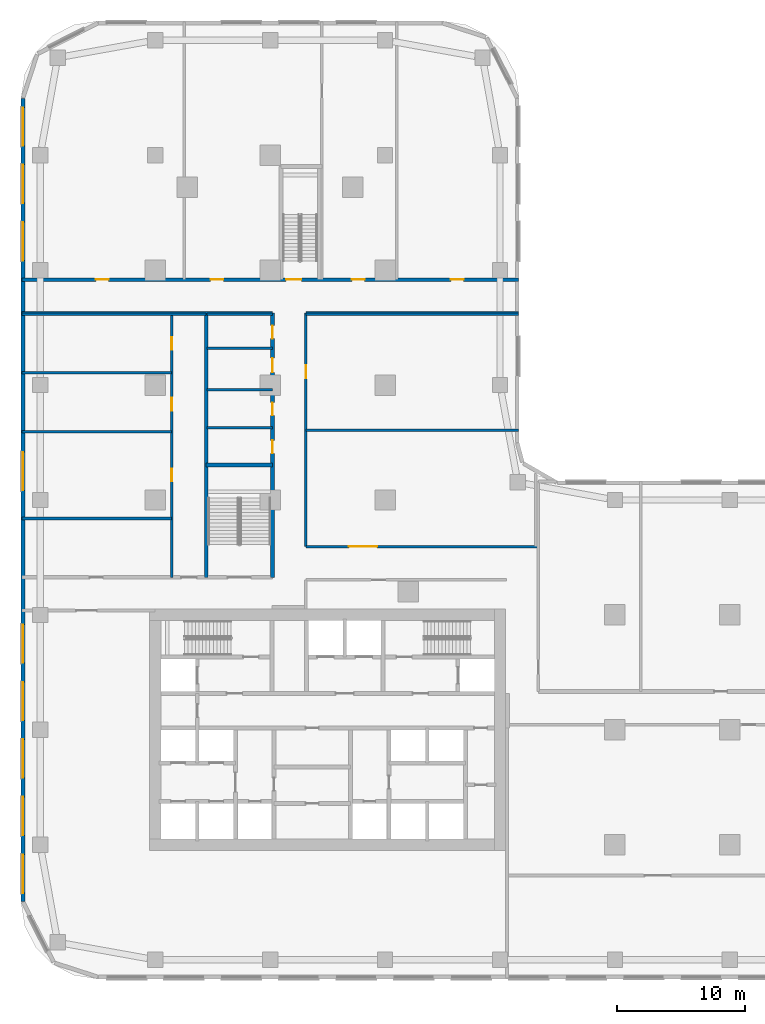
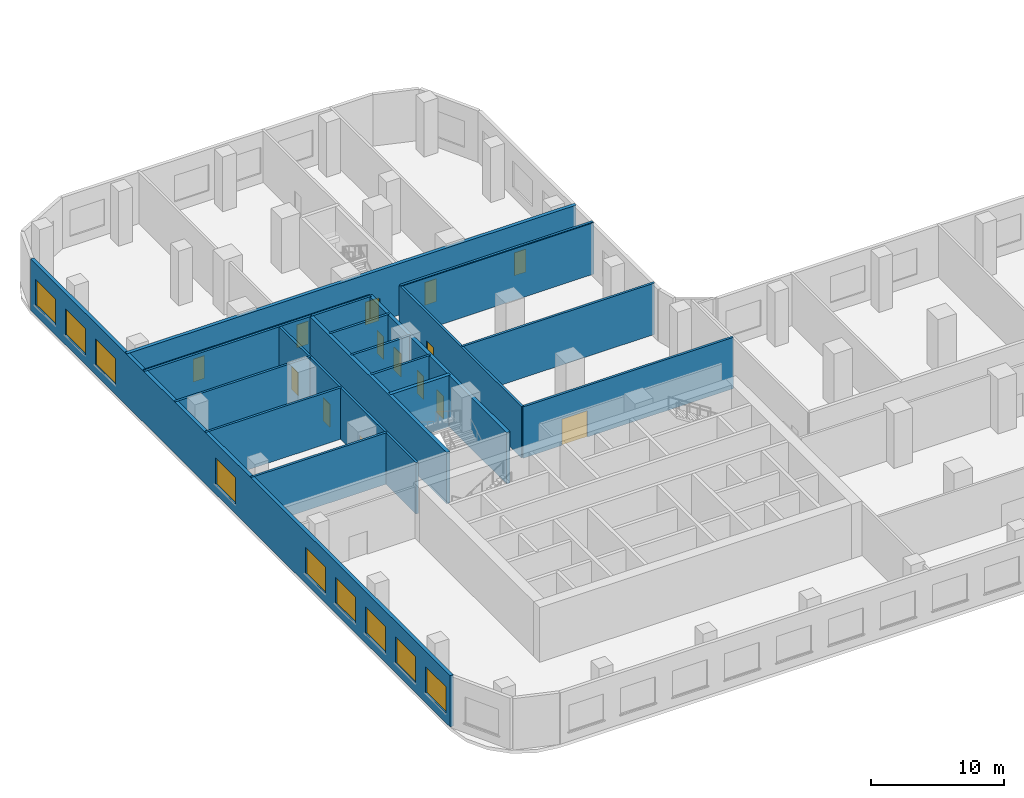
# One storey, part 9 of 35: 20 walls, 14 doors, 9 windows, 23 openings.
"""IFC4 building model written with IfcOpenShell, lengths in metres."""

from ifc_helpers import new_model, si_unit, direction, frame, frame_2d, origin, place, context, subcontext, project, spatial, rectangle, extrude, material, layer, layer_set, type_object, element, fill, save


model = new_model("IFC4")

# Units and contexts
model_context = context("Model", 3, precision=1e-05, world=origin(), true_north=direction((0.0, 1.0)))
body_context = subcontext(model_context, "Body", "Model", "MODEL_VIEW")
ifc_project = project(units=[si_unit("LENGTHUNIT", "METRE"), si_unit("AREAUNIT", "SQUARE_METRE"), si_unit("VOLUMEUNIT", "CUBIC_METRE"), si_unit("PLANEANGLEUNIT", "RADIAN"), si_unit("MASSUNIT", "GRAM", prefix="KILO")], contexts=[model_context])

# Site, building, storey
site_placement = place(None, origin())
site = spatial("IfcSite", under=ifc_project, at=site_placement, CompositionType="ELEMENT")
building_placement = place(site_placement, origin())
building = spatial("IfcBuilding", under=site, at=building_placement, Name="Ogive Portal Towers", CompositionType="ELEMENT")
storey_placement = place(building_placement, frame((0.0, 0.0, 23.5)))
storey = spatial("IfcBuildingStorey", under=building, at=storey_placement, Name="L04", CompositionType="ELEMENT", Elevation=23.5)

# Wall, openings, windows
ifc_material_1 = material(Name="Limestone cladding on lightweight block wall", Category="masonry")
ifc_layer_1 = layer(ifc_material_1, 0.300048828125)
ifc_layer_set_1 = layer_set([ifc_layer_1], Name="EXTERNAL WALL 300 STONE")
wall_type_1 = type_object("IfcWallType", Name="EXTERNAL WALL 300 STONE", PredefinedType="SOLIDWALL", material=ifc_layer_set_1)
wall_1_placement = place(storey_placement, frame((21.14990234375, 79.952392578125, 0.0), z_axis=(0.0, 0.0, 1.0), x_axis=(0.0, -1.0, 0.0)))
wall_1 = element("IfcWall", 1, at=wall_1_placement, inside=storey, type_object=wall_type_1, Name="A:L04:f17:w0", PredefinedType="SOLIDWALL", context=body_context, shape_type="SweptSolid", body=[
    extrude(rectangle(XDim=62.88037109375, YDim=0.300048828125, at=frame_2d((31.440185546875, 0.0))), origin(), (0.0, 0.0, 1.0), 4.699951171875),
])
opening_1_placement = place(wall_1_placement, frame((0.726318359375, 0.0, 0.89990234375)))
opening_1 = element("IfcOpeningElement", 2, at=opening_1_placement, cuts=wall_1, Name="Opening WN3", PredefinedType="OPENING", context=body_context, shape_type="SweptSolid", body=[
    extrude(rectangle(XDim=3.0, YDim=2.39990234375, at=frame_2d((1.5, 1.199951171875))), frame((0.0, 0.16015625, 0.0), z_axis=(0.0, -1.0, 0.0), x_axis=(1.0, 0.0, 0.0)), (0.0, 0.0, 1.0), 0.320068359375),
])
opening_2_placement = place(wall_1_placement, frame((5.202392578125, 0.0, 0.89990234375)))
opening_2 = element("IfcOpeningElement", 3, at=opening_2_placement, cuts=wall_1, Name="Opening WN3", PredefinedType="OPENING", context=body_context, shape_type="SweptSolid", body=[
    extrude(rectangle(XDim=3.0, YDim=2.39990234375, at=frame_2d((1.5, 1.199951171875))), frame((0.0, 0.16015625, 0.0), z_axis=(0.0, -1.0, 0.0), x_axis=(1.0, 0.0, 0.0)), (0.0, 0.0, 1.0), 0.320068359375),
])
opening_3_placement = place(wall_1_placement, frame((9.702392578125, 0.0, 0.89990234375)))
opening_3 = element("IfcOpeningElement", 4, at=opening_3_placement, cuts=wall_1, Name="Opening WN3", PredefinedType="OPENING", context=body_context, shape_type="SweptSolid", body=[
    extrude(rectangle(XDim=3.0, YDim=2.39990234375, at=frame_2d((1.5, 1.199951171875))), frame((0.0, 0.16015625, 0.0), z_axis=(0.0, -1.0, 0.0), x_axis=(1.0, 0.0, 0.0)), (0.0, 0.0, 1.0), 0.320068359375),
])
opening_4_placement = place(wall_1_placement, frame((27.702392578125, 0.0, 0.89990234375)))
opening_4 = element("IfcOpeningElement", 5, at=opening_4_placement, cuts=wall_1, Name="Opening WN3", PredefinedType="OPENING", context=body_context, shape_type="SweptSolid", body=[
    extrude(rectangle(XDim=3.0, YDim=2.39990234375, at=frame_2d((1.5, 1.199951171875))), frame((0.0, 0.16015625, 0.0), z_axis=(0.0, -1.0, 0.0), x_axis=(1.0, 0.0, 0.0)), (0.0, 0.0, 1.0), 0.320068359375),
])
opening_5_placement = place(wall_1_placement, frame((41.202392578125, 0.0, 0.89990234375)))
opening_5 = element("IfcOpeningElement", 6, at=opening_5_placement, cuts=wall_1, Name="Opening WN3", PredefinedType="OPENING", context=body_context, shape_type="SweptSolid", body=[
    extrude(rectangle(XDim=3.0, YDim=2.39990234375, at=frame_2d((1.5, 1.199951171875))), frame((0.0, 0.16015625, 0.0), z_axis=(0.0, -1.0, 0.0), x_axis=(1.0, 0.0, 0.0)), (0.0, 0.0, 1.0), 0.320068359375),
])
opening_6_placement = place(wall_1_placement, frame((45.702392578125, 0.0, 0.89990234375)))
opening_6 = element("IfcOpeningElement", 7, at=opening_6_placement, cuts=wall_1, Name="Opening WN3", PredefinedType="OPENING", context=body_context, shape_type="SweptSolid", body=[
    extrude(rectangle(XDim=3.0, YDim=2.39990234375, at=frame_2d((1.5, 1.199951171875))), frame((0.0, 0.16015625, 0.0), z_axis=(0.0, -1.0, 0.0), x_axis=(1.0, 0.0, 0.0)), (0.0, 0.0, 1.0), 0.320068359375),
])
opening_7_placement = place(wall_1_placement, frame((50.202392578125, 0.0, 0.89990234375)))
opening_7 = element("IfcOpeningElement", 8, at=opening_7_placement, cuts=wall_1, Name="Opening WN3", PredefinedType="OPENING", context=body_context, shape_type="SweptSolid", body=[
    extrude(rectangle(XDim=3.0, YDim=2.39990234375, at=frame_2d((1.5, 1.199951171875))), frame((0.0, 0.16015625, 0.0), z_axis=(0.0, -1.0, 0.0), x_axis=(1.0, 0.0, 0.0)), (0.0, 0.0, 1.0), 0.320068359375),
])
opening_8_placement = place(wall_1_placement, frame((54.702392578125, 0.0, 0.89990234375)))
opening_8 = element("IfcOpeningElement", 9, at=opening_8_placement, cuts=wall_1, Name="Opening WN3", PredefinedType="OPENING", context=body_context, shape_type="SweptSolid", body=[
    extrude(rectangle(XDim=3.0, YDim=2.39990234375, at=frame_2d((1.5, 1.199951171875))), frame((0.0, 0.16015625, 0.0), z_axis=(0.0, -1.0, 0.0), x_axis=(1.0, 0.0, 0.0)), (0.0, 0.0, 1.0), 0.320068359375),
])
opening_9_placement = place(wall_1_placement, frame((59.226318359375, 0.0, 0.89990234375)))
opening_9 = element("IfcOpeningElement", 10, at=opening_9_placement, cuts=wall_1, Name="Opening WN3", PredefinedType="OPENING", context=body_context, shape_type="SweptSolid", body=[
    extrude(rectangle(XDim=3.0, YDim=2.39990234375, at=frame_2d((1.5, 1.199951171875))), frame((0.0, 0.16015625, 0.0), z_axis=(0.0, -1.0, 0.0), x_axis=(1.0, 0.0, 0.0)), (0.0, 0.0, 1.0), 0.320068359375),
])
ifc_material_2 = material(Name="Glass, clear low-iron insulated glazing", Category="glass")
window_type = type_object("IfcWindowType", Name="WINDOW PODIUM 3000x2400", PartitioningType="SINGLE_PANEL", PredefinedType="WINDOW", material=ifc_material_2)
window_1_placement = place(opening_1_placement, origin())
window_1 = element("IfcWindow", 11, at=window_1_placement, inside=storey, type_object=window_type, Name="A:L04:f17:w0:o0", OverallHeight=2.39990234375, OverallWidth=3.0, PartitioningType="SINGLE_PANEL", PredefinedType="WINDOW", context=body_context, shape_type="SweptSolid", body=[
    extrude(rectangle(XDim=3.0, YDim=2.39990234375, at=frame_2d((1.5, 1.199951171875))), frame((0.0, 0.030029296875, 0.0), z_axis=(0.0, -1.0, 0.0), x_axis=(1.0, 0.0, 0.0)), (0.0, 0.0, 1.0), 0.06005859375),
])
fill(opening_1, window_1)
window_2_placement = place(opening_2_placement, origin())
window_2 = element("IfcWindow", 12, at=window_2_placement, inside=storey, type_object=window_type, Name="A:L04:f17:w0:o1a", OverallHeight=2.39990234375, OverallWidth=3.0, PartitioningType="SINGLE_PANEL", PredefinedType="WINDOW", context=body_context, shape_type="SweptSolid", body=[
    extrude(rectangle(XDim=3.0, YDim=2.39990234375, at=frame_2d((1.5, 1.199951171875))), frame((0.0, 0.030029296875, 0.0), z_axis=(0.0, -1.0, 0.0), x_axis=(1.0, 0.0, 0.0)), (0.0, 0.0, 1.0), 0.06005859375),
])
fill(opening_2, window_2)
window_3_placement = place(opening_3_placement, origin())
window_3 = element("IfcWindow", 13, at=window_3_placement, inside=storey, type_object=window_type, Name="A:L04:f17:w0:o1b", OverallHeight=2.39990234375, OverallWidth=3.0, PartitioningType="SINGLE_PANEL", PredefinedType="WINDOW", context=body_context, shape_type="SweptSolid", body=[
    extrude(rectangle(XDim=3.0, YDim=2.39990234375, at=frame_2d((1.5, 1.199951171875))), frame((0.0, 0.030029296875, 0.0), z_axis=(0.0, -1.0, 0.0), x_axis=(1.0, 0.0, 0.0)), (0.0, 0.0, 1.0), 0.06005859375),
])
fill(opening_3, window_3)
window_4_placement = place(opening_4_placement, origin())
window_4 = element("IfcWindow", 14, at=window_4_placement, inside=storey, type_object=window_type, Name="A:L04:f17:w0:o3b", OverallHeight=2.39990234375, OverallWidth=3.0, PartitioningType="SINGLE_PANEL", PredefinedType="WINDOW", context=body_context, shape_type="SweptSolid", body=[
    extrude(rectangle(XDim=3.0, YDim=2.39990234375, at=frame_2d((1.5, 1.199951171875))), frame((0.0, 0.030029296875, 0.0), z_axis=(0.0, -1.0, 0.0), x_axis=(1.0, 0.0, 0.0)), (0.0, 0.0, 1.0), 0.06005859375),
])
fill(opening_4, window_4)
window_5_placement = place(opening_5_placement, origin())
window_5 = element("IfcWindow", 15, at=window_5_placement, inside=storey, type_object=window_type, Name="A:L04:f17:w0:o5a", OverallHeight=2.39990234375, OverallWidth=3.0, PartitioningType="SINGLE_PANEL", PredefinedType="WINDOW", context=body_context, shape_type="SweptSolid", body=[
    extrude(rectangle(XDim=3.0, YDim=2.39990234375, at=frame_2d((1.5, 1.199951171875))), frame((0.0, 0.030029296875, 0.0), z_axis=(0.0, -1.0, 0.0), x_axis=(1.0, 0.0, 0.0)), (0.0, 0.0, 1.0), 0.06005859375),
])
fill(opening_5, window_5)
window_6_placement = place(opening_6_placement, origin())
window_6 = element("IfcWindow", 16, at=window_6_placement, inside=storey, type_object=window_type, Name="A:L04:f17:w0:o5b", OverallHeight=2.39990234375, OverallWidth=3.0, PartitioningType="SINGLE_PANEL", PredefinedType="WINDOW", context=body_context, shape_type="SweptSolid", body=[
    extrude(rectangle(XDim=3.0, YDim=2.39990234375, at=frame_2d((1.5, 1.199951171875))), frame((0.0, 0.030029296875, 0.0), z_axis=(0.0, -1.0, 0.0), x_axis=(1.0, 0.0, 0.0)), (0.0, 0.0, 1.0), 0.06005859375),
])
fill(opening_6, window_6)
window_7_placement = place(opening_7_placement, origin())
window_7 = element("IfcWindow", 17, at=window_7_placement, inside=storey, type_object=window_type, Name="A:L04:f17:w0:o6a", OverallHeight=2.39990234375, OverallWidth=3.0, PartitioningType="SINGLE_PANEL", PredefinedType="WINDOW", context=body_context, shape_type="SweptSolid", body=[
    extrude(rectangle(XDim=3.0, YDim=2.39990234375, at=frame_2d((1.5, 1.199951171875))), frame((0.0, 0.030029296875, 0.0), z_axis=(0.0, -1.0, 0.0), x_axis=(1.0, 0.0, 0.0)), (0.0, 0.0, 1.0), 0.06005859375),
])
fill(opening_7, window_7)
window_8_placement = place(opening_8_placement, origin())
window_8 = element("IfcWindow", 18, at=window_8_placement, inside=storey, type_object=window_type, Name="A:L04:f17:w0:o6b", OverallHeight=2.39990234375, OverallWidth=3.0, PartitioningType="SINGLE_PANEL", PredefinedType="WINDOW", context=body_context, shape_type="SweptSolid", body=[
    extrude(rectangle(XDim=3.0, YDim=2.39990234375, at=frame_2d((1.5, 1.199951171875))), frame((0.0, 0.030029296875, 0.0), z_axis=(0.0, -1.0, 0.0), x_axis=(1.0, 0.0, 0.0)), (0.0, 0.0, 1.0), 0.06005859375),
])
fill(opening_8, window_8)
window_9_placement = place(opening_9_placement, origin())
window_9 = element("IfcWindow", 19, at=window_9_placement, inside=storey, type_object=window_type, Name="A:L04:f17:w0:o7", OverallHeight=2.39990234375, OverallWidth=3.0, PartitioningType="SINGLE_PANEL", PredefinedType="WINDOW", context=body_context, shape_type="SweptSolid", body=[
    extrude(rectangle(XDim=3.0, YDim=2.39990234375, at=frame_2d((1.5, 1.199951171875))), frame((0.0, 0.030029296875, 0.0), z_axis=(0.0, -1.0, 0.0), x_axis=(1.0, 0.0, 0.0)), (0.0, 0.0, 1.0), 0.06005859375),
])
fill(opening_9, window_9)

# Wall
ifc_material_3 = material(Name="Concrete C50/60", Category="concrete")
ifc_layer_2 = layer(ifc_material_3, 0.300048828125)
ifc_layer_set_2 = layer_set([ifc_layer_2], Name="STAIR WALL 300 C50")
wall_type_2 = type_object("IfcWallType", Name="STAIR WALL 300 C50", PredefinedType="SHEAR", material=ifc_layer_set_2)
wall_2_placement = place(storey_placement, frame((35.5, 51.25, 0.0), z_axis=(0.0, 0.0, 1.0), x_axis=(1.0, 0.0, 0.0)))
element("IfcWall", 20, at=wall_2_placement, inside=storey, type_object=wall_type_2, Name="Stair wall ST-P2 L04", PredefinedType="SHEAR", context=body_context, shape_type="SweptSolid", body=[
    extrude(rectangle(XDim=5.199951171875, YDim=0.300048828125, at=frame_2d((2.60009765625, 0.0))), origin(), (0.0, 0.0, 1.0), 4.699951171875),
])

# Wall, openings, doors
wall_3_placement = place(storey_placement, frame((21.070068359375, 65.75, 0.0), z_axis=(0.0, 0.0, 1.0), x_axis=(1.0, 0.0, 0.0)))
wall_3 = element("IfcWall", 21, at=wall_3_placement, inside=storey, type_object=wall_type_2, Name="Stair wall ST-A3 L04", PredefinedType="SHEAR", context=body_context, shape_type="SweptSolid", body=[
    extrude(rectangle(XDim=38.85986328125, YDim=0.300048828125, at=frame_2d((19.429931640625, 0.0))), origin(), (0.0, 0.0, 1.0), 4.699951171875),
])
opening_10_placement = place(wall_3_placement, frame((20.679931640625, 0.0, 0.0)))
opening_10 = element("IfcOpeningElement", 22, at=opening_10_placement, cuts=wall_3, Name="Opening P04-001", PredefinedType="OPENING", context=body_context, shape_type="SweptSolid", body=[
    extrude(rectangle(XDim=1.199951171875, YDim=2.10009765625, at=frame_2d((0.60009765625, 1.050048828125))), frame((0.0, 0.16015625, 0.0), z_axis=(0.0, -1.0, 0.0), x_axis=(1.0, 0.0, 0.0)), (0.0, 0.0, 1.0), 0.320068359375),
])
opening_11_placement = place(wall_3_placement, frame((14.77001953125, 0.0, 0.0)))
opening_11 = element("IfcOpeningElement", 23, at=opening_11_placement, cuts=wall_3, Name="Opening P04-007", PredefinedType="OPENING", context=body_context, shape_type="SweptSolid", body=[
    extrude(rectangle(XDim=1.0, YDim=2.10009765625, at=frame_2d((0.5, 1.050048828125))), frame((0.0, 0.16015625, 0.0), z_axis=(0.0, -1.0, 0.0), x_axis=(1.0, 0.0, 0.0)), (0.0, 0.0, 1.0), 0.320068359375),
])
opening_12_placement = place(wall_3_placement, frame((25.839111328125, 0.0, 0.0)))
opening_12 = element("IfcOpeningElement", 24, at=opening_12_placement, cuts=wall_3, Name="Opening P04-009", PredefinedType="OPENING", context=body_context, shape_type="SweptSolid", body=[
    extrude(rectangle(XDim=1.0, YDim=2.10009765625, at=frame_2d((0.5, 1.050048828125))), frame((0.0, 0.16015625, 0.0), z_axis=(0.0, -1.0, 0.0), x_axis=(1.0, 0.0, 0.0)), (0.0, 0.0, 1.0), 0.320068359375),
])
opening_13_placement = place(wall_3_placement, frame((5.781005859375, 0.0, 0.0)))
opening_13 = element("IfcOpeningElement", 25, at=opening_13_placement, cuts=wall_3, Name="Opening P04-030", PredefinedType="OPENING", context=body_context, shape_type="SweptSolid", body=[
    extrude(rectangle(XDim=1.0, YDim=2.10009765625, at=frame_2d((0.5, 1.050048828125))), frame((0.0, 0.16015625, 0.0), z_axis=(0.0, -1.0, 0.0), x_axis=(1.0, 0.0, 0.0)), (0.0, 0.0, 1.0), 0.320068359375),
])
opening_14_placement = place(wall_3_placement, frame((33.577880859375, 0.0, 0.0)))
opening_14 = element("IfcOpeningElement", 26, at=opening_14_placement, cuts=wall_3, Name="Opening P04-031", PredefinedType="OPENING", context=body_context, shape_type="SweptSolid", body=[
    extrude(rectangle(XDim=1.0, YDim=2.10009765625, at=frame_2d((0.5, 1.050048828125))), frame((0.0, 0.16015625, 0.0), z_axis=(0.0, -1.0, 0.0), x_axis=(1.0, 0.0, 0.0)), (0.0, 0.0, 1.0), 0.320068359375),
])
ifc_material_4 = material(Name="Steel fire door", Category="steel")
door_type_1 = type_object("IfcDoorType", Name="DT-SWING-1000x2100-FD90S", OperationType="SINGLE_SWING_LEFT", PredefinedType="DOOR", material=ifc_material_4)
door_1_placement = place(opening_11_placement, origin())
door_1 = element("IfcDoor", 27, at=door_1_placement, inside=storey, type_object=door_type_1, Name="Door P04-007", OperationType="SINGLE_SWING_LEFT", OverallHeight=2.10009765625, OverallWidth=1.0, PredefinedType="DOOR", context=body_context, shape_type="SweptSolid", body=[
    extrude(rectangle(XDim=1.0, YDim=2.10009765625, at=frame_2d((0.5, 1.050048828125))), frame((0.0, 0.02490234375, 0.0), z_axis=(0.0, -1.0, 0.0), x_axis=(1.0, 0.0, 0.0)), (0.0, 0.0, 1.0), 0.050048828125),
])
fill(opening_11, door_1)
door_2_placement = place(opening_12_placement, origin())
door_2 = element("IfcDoor", 28, at=door_2_placement, inside=storey, type_object=door_type_1, Name="Door P04-009", OperationType="SINGLE_SWING_LEFT", OverallHeight=2.10009765625, OverallWidth=1.0, PredefinedType="DOOR", context=body_context, shape_type="SweptSolid", body=[
    extrude(rectangle(XDim=1.0, YDim=2.10009765625, at=frame_2d((0.5, 1.050048828125))), frame((0.0, 0.02490234375, 0.0), z_axis=(0.0, -1.0, 0.0), x_axis=(1.0, 0.0, 0.0)), (0.0, 0.0, 1.0), 0.050048828125),
])
fill(opening_12, door_2)
door_3_placement = place(opening_13_placement, origin())
door_3 = element("IfcDoor", 29, at=door_3_placement, inside=storey, type_object=door_type_1, Name="Door P04-030", OperationType="SINGLE_SWING_RIGHT", OverallHeight=2.10009765625, OverallWidth=1.0, PredefinedType="DOOR", context=body_context, shape_type="SweptSolid", body=[
    extrude(rectangle(XDim=1.0, YDim=2.10009765625, at=frame_2d((0.5, 1.050048828125))), frame((0.0, 0.02490234375, 0.0), z_axis=(0.0, -1.0, 0.0), x_axis=(1.0, 0.0, 0.0)), (0.0, 0.0, 1.0), 0.050048828125),
])
fill(opening_13, door_3)
door_4_placement = place(opening_14_placement, origin())
door_4 = element("IfcDoor", 30, at=door_4_placement, inside=storey, type_object=door_type_1, Name="Door P04-031", OperationType="SINGLE_SWING_LEFT", OverallHeight=2.10009765625, OverallWidth=1.0, PredefinedType="DOOR", context=body_context, shape_type="SweptSolid", body=[
    extrude(rectangle(XDim=1.0, YDim=2.10009765625, at=frame_2d((0.5, 1.050048828125))), frame((0.0, 0.02490234375, 0.0), z_axis=(0.0, -1.0, 0.0), x_axis=(1.0, 0.0, 0.0)), (0.0, 0.0, 1.0), 0.050048828125),
])
fill(opening_14, door_4)
door_type_2 = type_object("IfcDoorType", Name="DT-SWING-1200x2100-FD90S", OperationType="SINGLE_SWING_LEFT", PredefinedType="DOOR", material=ifc_material_4)
door_5_placement = place(opening_10_placement, origin())
door_5 = element("IfcDoor", 31, at=door_5_placement, inside=storey, type_object=door_type_2, Name="Door P04-001", OperationType="SINGLE_SWING_LEFT", OverallHeight=2.10009765625, OverallWidth=1.199951171875, PredefinedType="DOOR", context=body_context, shape_type="SweptSolid", body=[
    extrude(rectangle(XDim=1.199951171875, YDim=2.10009765625, at=frame_2d((0.60009765625, 1.050048828125))), frame((0.0, 0.02490234375, 0.0), z_axis=(0.0, -1.0, 0.0), x_axis=(1.0, 0.0, 0.0)), (0.0, 0.0, 1.0), 0.050048828125),
])
fill(opening_10, door_5)

# Wall
wall_4_placement = place(storey_placement, frame((35.5, 42.449951171875, 0.0), z_axis=(0.0, 0.0, 1.0), x_axis=(0.0, 1.0, 0.0)))
element("IfcWall", 32, at=wall_4_placement, inside=storey, type_object=wall_type_2, Name="Stair wall ST-P2 L04", PredefinedType="SHEAR", context=body_context, shape_type="SweptSolid", body=[
    extrude(rectangle(XDim=20.60009765625, YDim=0.300048828125, at=frame_2d((10.300048828125, 0.0))), origin(), (0.0, 0.0, 1.0), 4.699951171875),
])

# Wall, openings, doors
wall_5_placement = place(storey_placement, frame((40.699951171875, 42.449951171875, 0.0), z_axis=(0.0, 0.0, 1.0), x_axis=(0.0, 1.0, 0.0)))
wall_5 = element("IfcWall", 33, at=wall_5_placement, inside=storey, type_object=wall_type_2, Name="Stair wall ST-P2 L04", PredefinedType="SHEAR", context=body_context, shape_type="SweptSolid", body=[
    extrude(rectangle(XDim=20.699951171875, YDim=0.300048828125, at=frame_2d((10.35009765625, 0.0))), origin(), (0.0, 0.0, 1.0), 4.699951171875),
])
opening_15_placement = place(wall_5_placement, frame((9.7099609375, 0.0, 0.0)))
opening_15 = element("IfcOpeningElement", 34, at=opening_15_placement, cuts=wall_5, Name="Opening P04-024", PredefinedType="OPENING", context=body_context, shape_type="SweptSolid", body=[
    extrude(rectangle(XDim=1.0, YDim=2.10009765625, at=frame_2d((0.5, 1.050048828125))), frame((0.0, 0.16015625, 0.0), z_axis=(0.0, -1.0, 0.0), x_axis=(1.0, 0.0, 0.0)), (0.0, 0.0, 1.0), 0.320068359375),
])
opening_16_placement = place(wall_5_placement, frame((12.673095703125, 0.0, 0.0)))
opening_16 = element("IfcOpeningElement", 35, at=opening_16_placement, cuts=wall_5, Name="Opening P04-025", PredefinedType="OPENING", context=body_context, shape_type="SweptSolid", body=[
    extrude(rectangle(XDim=1.0, YDim=2.10009765625, at=frame_2d((0.5, 1.050048828125))), frame((0.0, 0.16015625, 0.0), z_axis=(0.0, -1.0, 0.0), x_axis=(1.0, 0.0, 0.0)), (0.0, 0.0, 1.0), 0.320068359375),
])
opening_17_placement = place(wall_5_placement, frame((16.050048828125, 0.0, 0.0)))
opening_17 = element("IfcOpeningElement", 36, at=opening_17_placement, cuts=wall_5, Name="Opening P04-026", PredefinedType="OPENING", context=body_context, shape_type="SweptSolid", body=[
    extrude(rectangle(XDim=1.10009765625, YDim=2.10009765625, at=frame_2d((0.550048828125, 1.050048828125))), frame((0.0, 0.16015625, 0.0), z_axis=(0.0, -1.0, 0.0), x_axis=(1.0, 0.0, 0.0)), (0.0, 0.0, 1.0), 0.320068359375),
])
opening_18_placement = place(wall_5_placement, frame((18.694091796875, 0.0, 0.0)))
opening_18 = element("IfcOpeningElement", 37, at=opening_18_placement, cuts=wall_5, Name="Opening P04-027", PredefinedType="OPENING", context=body_context, shape_type="SweptSolid", body=[
    extrude(rectangle(XDim=1.0, YDim=2.10009765625, at=frame_2d((0.5, 1.050048828125))), frame((0.0, 0.16015625, 0.0), z_axis=(0.0, -1.0, 0.0), x_axis=(1.0, 0.0, 0.0)), (0.0, 0.0, 1.0), 0.320068359375),
])
door_type_3 = type_object("IfcDoorType", Name="DT-ACCESS-1100x2100-FD90S", OperationType="SINGLE_SWING_LEFT", PredefinedType="DOOR", material=ifc_material_4)
door_6_placement = place(opening_17_placement, origin())
door_6 = element("IfcDoor", 38, at=door_6_placement, inside=storey, type_object=door_type_3, Name="Door P04-026", OperationType="SINGLE_SWING_RIGHT", OverallHeight=2.10009765625, OverallWidth=1.10009765625, PredefinedType="DOOR", context=body_context, shape_type="SweptSolid", body=[
    extrude(rectangle(XDim=1.10009765625, YDim=2.10009765625, at=frame_2d((0.550048828125, 1.050048828125))), frame((0.0, 0.02490234375, 0.0), z_axis=(0.0, -1.0, 0.0), x_axis=(1.0, 0.0, 0.0)), (0.0, 0.0, 1.0), 0.050048828125),
])
fill(opening_17, door_6)
door_7_placement = place(opening_15_placement, origin())
door_7 = element("IfcDoor", 39, at=door_7_placement, inside=storey, type_object=door_type_1, Name="Door P04-024", OperationType="SINGLE_SWING_RIGHT", OverallHeight=2.10009765625, OverallWidth=1.0, PredefinedType="DOOR", context=body_context, shape_type="SweptSolid", body=[
    extrude(rectangle(XDim=1.0, YDim=2.10009765625, at=frame_2d((0.5, 1.050048828125))), frame((0.0, 0.02490234375, 0.0), z_axis=(0.0, -1.0, 0.0), x_axis=(1.0, 0.0, 0.0)), (0.0, 0.0, 1.0), 0.050048828125),
])
fill(opening_15, door_7)
door_8_placement = place(opening_16_placement, origin())
door_8 = element("IfcDoor", 40, at=door_8_placement, inside=storey, type_object=door_type_1, Name="Door P04-025", OperationType="SINGLE_SWING_LEFT", OverallHeight=2.10009765625, OverallWidth=1.0, PredefinedType="DOOR", context=body_context, shape_type="SweptSolid", body=[
    extrude(rectangle(XDim=1.0, YDim=2.10009765625, at=frame_2d((0.5, 1.050048828125))), frame((0.0, 0.02490234375, 0.0), z_axis=(0.0, -1.0, 0.0), x_axis=(1.0, 0.0, 0.0)), (0.0, 0.0, 1.0), 0.050048828125),
])
fill(opening_16, door_8)
door_9_placement = place(opening_18_placement, origin())
door_9 = element("IfcDoor", 41, at=door_9_placement, inside=storey, type_object=door_type_1, Name="Door P04-027", OperationType="SINGLE_SWING_LEFT", OverallHeight=2.10009765625, OverallWidth=1.0, PredefinedType="DOOR", context=body_context, shape_type="SweptSolid", body=[
    extrude(rectangle(XDim=1.0, YDim=2.10009765625, at=frame_2d((0.5, 1.050048828125))), frame((0.0, 0.02490234375, 0.0), z_axis=(0.0, -1.0, 0.0), x_axis=(1.0, 0.0, 0.0)), (0.0, 0.0, 1.0), 0.050048828125),
])
fill(opening_18, door_9)

# Wall, opening, door
ifc_material_5 = material(Name="Gypsum board partition on steel studs", Category="steel")
ifc_layer_3 = layer(ifc_material_5, 0.199951171875)
ifc_layer_set_3 = layer_set([ifc_layer_3], Name="WT-PART-200-EI 60")
wall_type_3 = type_object("IfcWallType", Name="WT-PART-200-EI 60", PredefinedType="PARTITIONING", material=ifc_layer_set_3)
wall_6_placement = place(storey_placement, frame((43.300048828125, 44.85009765625, 0.0), z_axis=(0.0, 0.0, 1.0), x_axis=(1.0, 0.0, 0.0)))
wall_6 = element("IfcWall", 42, at=wall_6_placement, inside=storey, type_object=wall_type_3, Name="Wall L04:w041", PredefinedType="PARTITIONING", context=body_context, shape_type="SweptSolid", body=[
    extrude(rectangle(XDim=18.199951171875, YDim=0.199951171875, at=frame_2d((9.10009765625, 0.0))), origin(), (0.0, 0.0, 1.0), 4.699951171875),
])
opening_19_placement = place(wall_6_placement, frame((3.376953125, 0.0, 0.0)))
opening_19 = element("IfcOpeningElement", 43, at=opening_19_placement, cuts=wall_6, Name="Opening P04-028", PredefinedType="OPENING", context=body_context, shape_type="SweptSolid", body=[
    extrude(rectangle(XDim=2.199951171875, YDim=2.39990234375, at=frame_2d((1.10009765625, 1.199951171875))), frame((0.0, 0.10986328125, 0.0), z_axis=(0.0, -1.0, 0.0), x_axis=(1.0, 0.0, 0.0)), (0.0, 0.0, 1.0), 0.219970703125),
])
door_type_4 = type_object("IfcDoorType", Name="DT-PLANT-2200x2400-FD60S", OperationType="SINGLE_SWING_LEFT", PredefinedType="DOOR", material=ifc_material_4)
door_10_placement = place(opening_19_placement, origin())
door_10 = element("IfcDoor", 44, at=door_10_placement, inside=storey, type_object=door_type_4, Name="Door P04-028", OperationType="SINGLE_SWING_RIGHT", OverallHeight=2.39990234375, OverallWidth=2.199951171875, PredefinedType="DOOR", context=body_context, shape_type="SweptSolid", body=[
    extrude(rectangle(XDim=2.199951171875, YDim=2.39990234375, at=frame_2d((1.10009765625, 1.199951171875))), frame((0.0, 0.02490234375, 0.0), z_axis=(0.0, -1.0, 0.0), x_axis=(1.0, 0.0, 0.0)), (0.0, 0.0, 1.0), 0.050048828125),
])
fill(opening_19, door_10)

# Walls
for number, where, z_axis, x_axis, name in (
    (45, (21.070068359375, 47.050048828125, 0.0), (0.0, 0.0, 1.0), (1.0, 0.0, 0.0), "Wall L04:w042"),
    (46, (21.070068359375, 53.85009765625, 0.0), (0.0, 0.0, 1.0), (1.0, 0.0, 0.0), "Wall L04:w045"),
):
    element("IfcWall", number, at=place(storey_placement, frame(where, z_axis=z_axis, x_axis=x_axis)), inside=storey, type_object=wall_type_3, Name=name, PredefinedType="PARTITIONING", context=body_context, shape_type="SweptSolid", body=[
        extrude(rectangle(XDim=11.72998046875, YDim=0.199951171875, at=frame_2d((5.864990234375, 0.0))), origin(), (0.0, 0.0, 1.0), 4.699951171875),
    ])
wall_7_placement = place(storey_placement, frame((43.300048828125, 53.949951171875, 0.0), z_axis=(0.0, 0.0, 1.0), x_axis=(1.0, 0.0, 0.0)))
element("IfcWall", 47, at=wall_7_placement, inside=storey, type_object=wall_type_3, Name="Wall L04:w046", PredefinedType="PARTITIONING", context=body_context, shape_type="SweptSolid", body=[
    extrude(rectangle(XDim=16.6298828125, YDim=0.199951171875, at=frame_2d((8.31494140625, 0.0))), origin(), (0.0, 0.0, 1.0), 4.699951171875),
])
for number, where, z_axis, x_axis, name in (
    (48, (35.550048828125, 54.162109375, 0.0), (0.0, 0.0, 1.0), (1.0, 0.0, 0.0), "Wall L04:w047"),
    (49, (35.550048828125, 57.125, 0.0), (0.0, 0.0, 1.0), (1.0, 0.0, 0.0), "Wall L04:w048"),
):
    element("IfcWall", number, at=place(storey_placement, frame(where, z_axis=z_axis, x_axis=x_axis)), inside=storey, type_object=wall_type_3, Name=name, PredefinedType="PARTITIONING", context=body_context, shape_type="SweptSolid", body=[
        extrude(rectangle(XDim=5.14990234375, YDim=0.199951171875, at=frame_2d((2.574951171875, 0.0))), origin(), (0.0, 0.0, 1.0), 4.699951171875),
    ])
wall_8_placement = place(storey_placement, frame((21.070068359375, 58.449951171875, 0.0), z_axis=(0.0, 0.0, 1.0), x_axis=(1.0, 0.0, 0.0)))
element("IfcWall", 50, at=wall_8_placement, inside=storey, type_object=wall_type_3, Name="Wall L04:w049", PredefinedType="PARTITIONING", context=body_context, shape_type="SweptSolid", body=[
    extrude(rectangle(XDim=11.72998046875, YDim=0.199951171875, at=frame_2d((5.864990234375, 0.0))), origin(), (0.0, 0.0, 1.0), 4.699951171875),
])
wall_9_placement = place(storey_placement, frame((35.550048828125, 60.364013671875, 0.0), z_axis=(0.0, 0.0, 1.0), x_axis=(1.0, 0.0, 0.0)))
element("IfcWall", 51, at=wall_9_placement, inside=storey, type_object=wall_type_3, Name="Wall L04:w050", PredefinedType="PARTITIONING", context=body_context, shape_type="SweptSolid", body=[
    extrude(rectangle(XDim=5.14990234375, YDim=0.199951171875, at=frame_2d((2.574951171875, 0.0))), origin(), (0.0, 0.0, 1.0), 4.699951171875),
])
wall_10_placement = place(storey_placement, frame((21.070068359375, 63.050048828125, 0.0), z_axis=(0.0, 0.0, 1.0), x_axis=(1.0, 0.0, 0.0)))
element("IfcWall", 52, at=wall_10_placement, inside=storey, type_object=wall_type_3, Name="Wall L04:w051", PredefinedType="PARTITIONING", context=body_context, shape_type="SweptSolid", body=[
    extrude(rectangle(XDim=14.429931640625, YDim=0.199951171875, at=frame_2d((7.21484375, 0.0))), origin(), (0.0, 0.0, 1.0), 4.699951171875),
])
wall_11_placement = place(storey_placement, frame((35.550048828125, 63.050048828125, 0.0), z_axis=(0.0, 0.0, 1.0), x_axis=(1.0, 0.0, 0.0)))
element("IfcWall", 53, at=wall_11_placement, inside=storey, type_object=wall_type_3, Name="Wall L04:w052", PredefinedType="PARTITIONING", context=body_context, shape_type="SweptSolid", body=[
    extrude(rectangle(XDim=5.14990234375, YDim=0.199951171875, at=frame_2d((2.574951171875, 0.0))), origin(), (0.0, 0.0, 1.0), 4.699951171875),
])
wall_12_placement = place(storey_placement, frame((43.300048828125, 63.050048828125, 0.0), z_axis=(0.0, 0.0, 1.0), x_axis=(1.0, 0.0, 0.0)))
element("IfcWall", 54, at=wall_12_placement, inside=storey, type_object=wall_type_3, Name="Wall L04:w053", PredefinedType="PARTITIONING", context=body_context, shape_type="SweptSolid", body=[
    extrude(rectangle(XDim=16.6298828125, YDim=0.199951171875, at=frame_2d((8.31494140625, 0.0))), origin(), (0.0, 0.0, 1.0), 4.699951171875),
])
wall_13_placement = place(storey_placement, frame((21.070068359375, 63.14990234375, 0.0), z_axis=(0.0, 0.0, 1.0), x_axis=(1.0, 0.0, 0.0)))
element("IfcWall", 55, at=wall_13_placement, inside=storey, type_object=wall_type_3, Name="Wall L04:w054", PredefinedType="PARTITIONING", context=body_context, shape_type="SweptSolid", body=[
    extrude(rectangle(XDim=19.6298828125, YDim=0.199951171875, at=frame_2d((9.81494140625, 0.0))), origin(), (0.0, 0.0, 1.0), 4.699951171875),
])
wall_14_placement = place(storey_placement, frame((43.300048828125, 63.14990234375, 0.0), z_axis=(0.0, 0.0, 1.0), x_axis=(1.0, 0.0, 0.0)))
element("IfcWall", 56, at=wall_14_placement, inside=storey, type_object=wall_type_3, Name="Wall L04:w055", PredefinedType="PARTITIONING", context=body_context, shape_type="SweptSolid", body=[
    extrude(rectangle(XDim=16.6298828125, YDim=0.199951171875, at=frame_2d((8.31494140625, 0.0))), origin(), (0.0, 0.0, 1.0), 4.699951171875),
])

# Wall, openings, doors
wall_15_placement = place(storey_placement, frame((32.800048828125, 42.449951171875, 0.0), z_axis=(0.0, 0.0, 1.0), x_axis=(0.0, 1.0, 0.0)))
wall_15 = element("IfcWall", 57, at=wall_15_placement, inside=storey, type_object=wall_type_3, Name="Wall L04:w081", PredefinedType="PARTITIONING", context=body_context, shape_type="SweptSolid", body=[
    extrude(rectangle(XDim=20.60009765625, YDim=0.199951171875, at=frame_2d((10.300048828125, 0.0))), origin(), (0.0, 0.0, 1.0), 4.699951171875),
])
opening_20_placement = place(wall_15_placement, frame((7.5, 0.0, 0.0)))
opening_20 = element("IfcOpeningElement", 58, at=opening_20_placement, cuts=wall_15, Name="Opening P04-021", PredefinedType="OPENING", context=body_context, shape_type="SweptSolid", body=[
    extrude(rectangle(XDim=1.0, YDim=2.10009765625, at=frame_2d((0.5, 1.050048828125))), frame((0.0, 0.10986328125, 0.0), z_axis=(0.0, -1.0, 0.0), x_axis=(1.0, 0.0, 0.0)), (0.0, 0.0, 1.0), 0.219970703125),
])
opening_21_placement = place(wall_15_placement, frame((13.050048828125, 0.0, 0.0)))
opening_21 = element("IfcOpeningElement", 59, at=opening_21_placement, cuts=wall_15, Name="Opening P04-022", PredefinedType="OPENING", context=body_context, shape_type="SweptSolid", body=[
    extrude(rectangle(XDim=1.0, YDim=2.10009765625, at=frame_2d((0.5, 1.050048828125))), frame((0.0, 0.10986328125, 0.0), z_axis=(0.0, -1.0, 0.0), x_axis=(1.0, 0.0, 0.0)), (0.0, 0.0, 1.0), 0.219970703125),
])
opening_22_placement = place(wall_15_placement, frame((17.800048828125, 0.0, 0.0)))
opening_22 = element("IfcOpeningElement", 60, at=opening_22_placement, cuts=wall_15, Name="Opening P04-023", PredefinedType="OPENING", context=body_context, shape_type="SweptSolid", body=[
    extrude(rectangle(XDim=1.0, YDim=2.10009765625, at=frame_2d((0.5, 1.050048828125))), frame((0.0, 0.10986328125, 0.0), z_axis=(0.0, -1.0, 0.0), x_axis=(1.0, 0.0, 0.0)), (0.0, 0.0, 1.0), 0.219970703125),
])
door_type_5 = type_object("IfcDoorType", Name="DT-SWING-1000x2100-FD60S", OperationType="SINGLE_SWING_LEFT", PredefinedType="DOOR", material=ifc_material_4)
door_11_placement = place(opening_20_placement, origin())
door_11 = element("IfcDoor", 61, at=door_11_placement, inside=storey, type_object=door_type_5, Name="Door P04-021", OperationType="SINGLE_SWING_LEFT", OverallHeight=2.10009765625, OverallWidth=1.0, PredefinedType="DOOR", context=body_context, shape_type="SweptSolid", body=[
    extrude(rectangle(XDim=1.0, YDim=2.10009765625, at=frame_2d((0.5, 1.050048828125))), frame((0.0, 0.02490234375, 0.0), z_axis=(0.0, -1.0, 0.0), x_axis=(1.0, 0.0, 0.0)), (0.0, 0.0, 1.0), 0.050048828125),
])
fill(opening_20, door_11)
door_12_placement = place(opening_21_placement, origin())
door_12 = element("IfcDoor", 62, at=door_12_placement, inside=storey, type_object=door_type_5, Name="Door P04-022", OperationType="SINGLE_SWING_RIGHT", OverallHeight=2.10009765625, OverallWidth=1.0, PredefinedType="DOOR", context=body_context, shape_type="SweptSolid", body=[
    extrude(rectangle(XDim=1.0, YDim=2.10009765625, at=frame_2d((0.5, 1.050048828125))), frame((0.0, 0.02490234375, 0.0), z_axis=(0.0, -1.0, 0.0), x_axis=(1.0, 0.0, 0.0)), (0.0, 0.0, 1.0), 0.050048828125),
])
fill(opening_21, door_12)
door_13_placement = place(opening_22_placement, origin())
door_13 = element("IfcDoor", 63, at=door_13_placement, inside=storey, type_object=door_type_5, Name="Door P04-023", OperationType="SINGLE_SWING_LEFT", OverallHeight=2.10009765625, OverallWidth=1.0, PredefinedType="DOOR", context=body_context, shape_type="SweptSolid", body=[
    extrude(rectangle(XDim=1.0, YDim=2.10009765625, at=frame_2d((0.5, 1.050048828125))), frame((0.0, 0.02490234375, 0.0), z_axis=(0.0, -1.0, 0.0), x_axis=(1.0, 0.0, 0.0)), (0.0, 0.0, 1.0), 0.050048828125),
])
fill(opening_22, door_13)

# Wall, opening, door
wall_16_placement = place(storey_placement, frame((43.300048828125, 44.85009765625, 0.0), z_axis=(0.0, 0.0, 1.0), x_axis=(0.0, 1.0, 0.0)))
wall_16 = element("IfcWall", 64, at=wall_16_placement, inside=storey, type_object=wall_type_3, Name="Wall L04:w087", PredefinedType="PARTITIONING", context=body_context, shape_type="SweptSolid", body=[
    extrude(rectangle(XDim=18.2998046875, YDim=0.199951171875, at=frame_2d((9.14990234375, 0.0))), origin(), (0.0, 0.0, 1.0), 4.699951171875),
])
opening_23_placement = place(wall_16_placement, frame((13.199951171875, 0.0, 0.0)))
opening_23 = element("IfcOpeningElement", 65, at=opening_23_placement, cuts=wall_16, Name="Opening P04-029", PredefinedType="OPENING", context=body_context, shape_type="SweptSolid", body=[
    extrude(rectangle(XDim=1.0, YDim=2.10009765625, at=frame_2d((0.5, 1.050048828125))), frame((0.0, 0.10986328125, 0.0), z_axis=(0.0, -1.0, 0.0), x_axis=(1.0, 0.0, 0.0)), (0.0, 0.0, 1.0), 0.219970703125),
])
door_14_placement = place(opening_23_placement, origin())
door_14 = element("IfcDoor", 66, at=door_14_placement, inside=storey, type_object=door_type_5, Name="Door P04-029", OperationType="SINGLE_SWING_LEFT", OverallHeight=2.10009765625, OverallWidth=1.0, PredefinedType="DOOR", context=body_context, shape_type="SweptSolid", body=[
    extrude(rectangle(XDim=1.0, YDim=2.10009765625, at=frame_2d((0.5, 1.050048828125))), frame((0.0, 0.02490234375, 0.0), z_axis=(0.0, -1.0, 0.0), x_axis=(1.0, 0.0, 0.0)), (0.0, 0.0, 1.0), 0.050048828125),
])
fill(opening_23, door_14)

save(model, "model.ifc")
